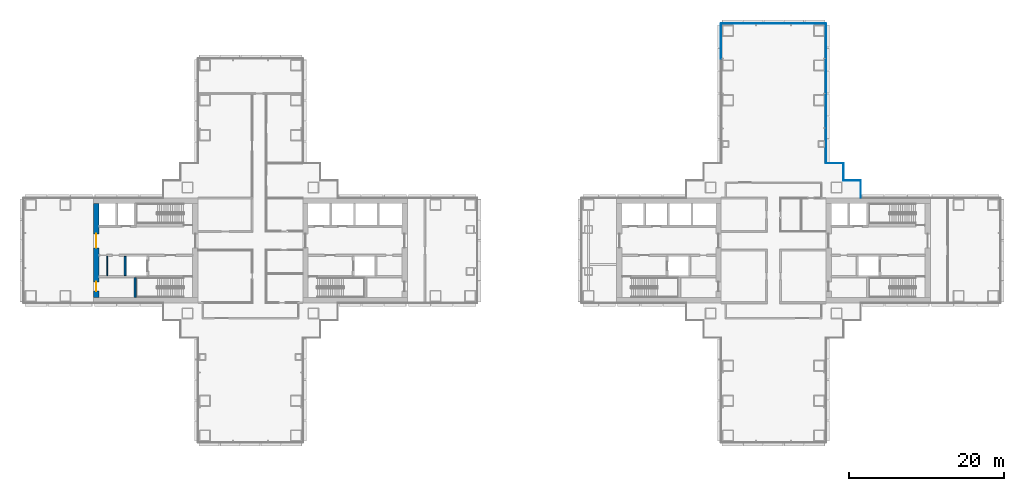
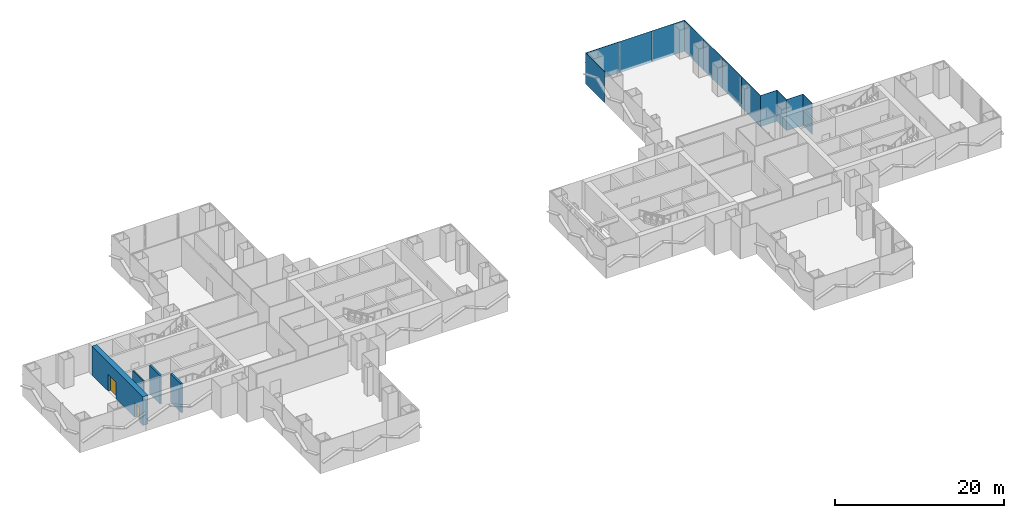
# One storey, part 13 of 22: 12 plates, 4 walls, 2 doors, 2 openings, 4 elements without a shape of their own.
"""IFC4 building model written with IfcOpenShell, lengths in metres."""

from ifc_helpers import new_model, si_unit, direction, frame, frame_2d, origin, origin_2d, place, context, subcontext, project, spatial, rectangle, extrude, material, layer, layer_set, type_object, element, fill, aggregate, save


model = new_model("IFC4")

# Units and contexts
model_context = context("Model", 3, precision=1e-05, world=origin(), true_north=direction((0.0, 1.0)))
body_context = subcontext(model_context, "Body", "Model", "MODEL_VIEW")
ifc_project = project(units=[si_unit("LENGTHUNIT", "METRE"), si_unit("AREAUNIT", "SQUARE_METRE"), si_unit("VOLUMEUNIT", "CUBIC_METRE"), si_unit("PLANEANGLEUNIT", "RADIAN"), si_unit("MASSUNIT", "GRAM", prefix="KILO")], contexts=[model_context])

# Site, building, storey
site_placement = place(None, origin())
site = spatial("IfcSite", under=ifc_project, at=site_placement, CompositionType="ELEMENT")
building_placement = place(site_placement, origin())
building = spatial("IfcBuilding", under=site, at=building_placement, Name="Shamsa Quay Exchange Towers", CompositionType="ELEMENT")
storey_placement = place(building_placement, frame((0.0, 0.0, 33.0)))
storey = spatial("IfcBuildingStorey", under=building, at=storey_placement, Name="L06", CompositionType="ELEMENT", Elevation=33.0)

# Curtain wall, plates
ifc_material_1 = material(Name="Aluminium EN AW-6063 T6, black anodised", Category="aluminium")
ifc_layer_1 = layer(ifc_material_1, 0.280029296875)
ifc_layer_set_1 = layer_set([ifc_layer_1], Name="CW-1 UNITISED VISION GLASS")
curtain_wall_type_1 = type_object("IfcCurtainWallType", Name="CW-1 UNITISED VISION GLASS", PredefinedType="NOTDEFINED", material=ifc_layer_set_1)
curtain_wall_1_placement = place(storey_placement, origin())
curtain_wall_1 = element("IfcCurtainWall", 1, at=curtain_wall_1_placement, inside=storey, type_object=curtain_wall_type_1, Name="CW1 T2-FLK-U+S L06", PredefinedType="NOTDEFINED")
ifc_material_2 = material(Name="Glass, laminated, dark tinted", Category="glass")
ifc_layer_2 = layer(ifc_material_2, 0.0400390625)
ifc_layer_set_2 = layer_set([ifc_layer_2], Name="CW-1 VISION GLASS 40")
plate_type_1 = type_object("IfcPlateType", Name="CW-1 VISION GLASS 40", PredefinedType="CURTAIN_PANEL", material=ifc_layer_set_2)
plate_1_placement = place(storey_placement, frame((40.52001953125, 13.53076171875, -0.35009765625), z_axis=(0.0, 0.0, 1.0), x_axis=(0.0, 1.0, 0.0)))
plate_1 = element("IfcPlate", 2, at=plate_1_placement, type_object=plate_type_1, Name="CW1 glass panel", PredefinedType="CURTAIN_PANEL", context=body_context, shape_type="SweptSolid", body=[
    extrude(rectangle(XDim=4.485595703125, YDim=0.0400390625, at=origin_2d()), origin(), (0.0, 0.0, 1.0), 4.5),
])
plate_2_placement = place(storey_placement, frame((40.52001953125, 18.023681640625, -0.35009765625), z_axis=(0.0, 0.0, 1.0), x_axis=(0.0, 1.0, 0.0)))
plate_2 = element("IfcPlate", 3, at=plate_2_placement, type_object=plate_type_1, Name="CW1 glass panel", PredefinedType="CURTAIN_PANEL", context=body_context, shape_type="SweptSolid", body=[
    extrude(rectangle(XDim=4.48046875, YDim=0.0400390625, at=origin_2d()), origin(), (0.0, 0.0, 1.0), 4.5),
])
plate_3_placement = place(storey_placement, frame((40.52001953125, 22.51416015625, -0.35009765625), z_axis=(0.0, 0.0, 1.0), x_axis=(0.0, 1.0, 0.0)))
plate_3 = element("IfcPlate", 4, at=plate_3_placement, type_object=plate_type_1, Name="CW1 glass panel", PredefinedType="CURTAIN_PANEL", context=body_context, shape_type="SweptSolid", body=[
    extrude(rectangle(XDim=4.48046875, YDim=0.0400390625, at=origin_2d()), origin(), (0.0, 0.0, 1.0), 4.5),
])
plate_4_placement = place(storey_placement, frame((40.52001953125, 27.00732421875, -0.35009765625), z_axis=(0.0, 0.0, 1.0), x_axis=(0.0, 1.0, 0.0)))
plate_4 = element("IfcPlate", 5, at=plate_4_placement, type_object=plate_type_1, Name="CW1 glass panel", PredefinedType="CURTAIN_PANEL", context=body_context, shape_type="SweptSolid", body=[
    extrude(rectangle(XDim=4.485595703125, YDim=0.0400390625, at=origin_2d()), origin(), (0.0, 0.0, 1.0), 4.5),
])
aggregate(curtain_wall_1, [plate_1, plate_2, plate_3, plate_4])

curtain_wall_2_placement = place(storey_placement, origin())
curtain_wall_2 = element("IfcCurtainWall", 6, at=curtain_wall_2_placement, inside=storey, type_object=curtain_wall_type_1, Name="CW1 T2-END-U+ L06", PredefinedType="NOTDEFINED")
plate_5_placement = place(storey_placement, frame((38.25244140625, 29.27001953125, -0.35009765625), z_axis=(0.0, 0.0, 1.0), x_axis=(-1.0, 0.0, 0.0)))
plate_5 = element("IfcPlate", 7, at=plate_5_placement, type_object=plate_type_1, Name="CW1 glass panel", PredefinedType="CURTAIN_PANEL", context=body_context, shape_type="SweptSolid", body=[
    extrude(rectangle(XDim=4.4951171875, YDim=0.0400390625, at=origin_2d()), origin(), (0.0, 0.0, 1.0), 4.5),
])
plate_6_placement = place(storey_placement, frame((33.75, 29.27001953125, -0.35009765625), z_axis=(0.0, 0.0, 1.0), x_axis=(-1.0, 0.0, 0.0)))
plate_6 = element("IfcPlate", 8, at=plate_6_placement, type_object=plate_type_1, Name="CW1 glass panel", PredefinedType="CURTAIN_PANEL", context=body_context, shape_type="SweptSolid", body=[
    extrude(rectangle(XDim=4.489990234375, YDim=0.0400390625, at=origin_2d()), origin(), (0.0, 0.0, 1.0), 4.5),
])
plate_7_placement = place(storey_placement, frame((29.24755859375, 29.27001953125, -0.35009765625), z_axis=(0.0, 0.0, 1.0), x_axis=(-1.0, 0.0, 0.0)))
plate_7 = element("IfcPlate", 9, at=plate_7_placement, type_object=plate_type_1, Name="CW1 glass panel", PredefinedType="CURTAIN_PANEL", context=body_context, shape_type="SweptSolid", body=[
    extrude(rectangle(XDim=4.4951171875, YDim=0.0400390625, at=origin_2d()), origin(), (0.0, 0.0, 1.0), 4.5),
])
aggregate(curtain_wall_2, [plate_5, plate_6, plate_7])

# Curtain wall, plate
curtain_wall_3_placement = place(storey_placement, origin())
curtain_wall_3 = element("IfcCurtainWall", 10, at=curtain_wall_3_placement, inside=storey, type_object=curtain_wall_type_1, Name="CW1 T2-FLK-U+N L06", PredefinedType="NOTDEFINED")
plate_8_placement = place(storey_placement, frame((26.97998046875, 27.00244140625, -0.35009765625), z_axis=(0.0, 0.0, 1.0), x_axis=(0.0, -1.0, 0.0)))
plate_8 = element("IfcPlate", 11, at=plate_8_placement, type_object=plate_type_1, Name="CW1 glass panel", PredefinedType="CURTAIN_PANEL", context=body_context, shape_type="SweptSolid", body=[
    extrude(rectangle(XDim=4.4951171875, YDim=0.0400390625, at=origin_2d()), origin(), (0.0, 0.0, 1.0), 4.5),
])
aggregate(curtain_wall_3, [plate_8])

# Curtain wall, plates
ifc_layer_3 = layer(ifc_material_1, 0.256103515625)
ifc_layer_set_3 = layer_set([ifc_layer_3], Name="CW-4 POCKET SERRATED GLAZING")
curtain_wall_type_2 = type_object("IfcCurtainWallType", Name="CW-4 POCKET SERRATED GLAZING", PredefinedType="NOTDEFINED", material=ifc_layer_set_3)
curtain_wall_4_placement = place(storey_placement, origin())
curtain_wall_4 = element("IfcCurtainWall", 12, at=curtain_wall_4_placement, inside=storey, type_object=curtain_wall_type_2, Name="CW4 PKES L06", PredefinedType="NOTDEFINED")
ifc_layer_4 = layer(ifc_material_2, 0.035888671875)
ifc_layer_set_4 = layer_set([ifc_layer_4], Name="CW-4 POCKET GLASS 36")
plate_type_2 = type_object("IfcPlateType", Name="CW-4 POCKET GLASS 36", PredefinedType="CURTAIN_PANEL", material=ifc_layer_set_4)
plate_9_placement = place(storey_placement, frame((45.01806640625, 7.89794921875, -0.35009765625), z_axis=(0.0, 0.0, 1.0), x_axis=(0.0, 1.0, 0.0)))
plate_9 = element("IfcPlate", 13, at=plate_9_placement, type_object=plate_type_2, Name="CW4 glass panel", PredefinedType="CURTAIN_PANEL", context=body_context, shape_type="SweptSolid", body=[
    extrude(rectangle(XDim=2.2041015625, YDim=0.035888671875, at=origin_2d()), origin(), (0.0, 0.0, 1.0), 4.5),
])
plate_10_placement = place(storey_placement, frame((43.875, 9.01806640625, -0.35009765625), z_axis=(0.0, 0.0, 1.0), x_axis=(-1.0, 0.0, 0.0)))
plate_10 = element("IfcPlate", 14, at=plate_10_placement, type_object=plate_type_2, Name="CW4 glass panel", PredefinedType="CURTAIN_PANEL", context=body_context, shape_type="SweptSolid", body=[
    extrude(rectangle(XDim=2.25, YDim=0.035888671875, at=origin_2d()), origin(), (0.0, 0.0, 1.0), 4.5),
])
plate_11_placement = place(storey_placement, frame((42.76806640625, 10.14404296875, -0.35009765625), z_axis=(0.0, 0.0, 1.0), x_axis=(0.0, 1.0, 0.0)))
plate_11 = element("IfcPlate", 15, at=plate_11_placement, type_object=plate_type_2, Name="CW4 glass panel", PredefinedType="CURTAIN_PANEL", context=body_context, shape_type="SweptSolid", body=[
    extrude(rectangle(XDim=2.2119140625, YDim=0.035888671875, at=origin_2d()), origin(), (0.0, 0.0, 1.0), 4.5),
])
plate_12_placement = place(storey_placement, frame((41.625, 11.26806640625, -0.35009765625), z_axis=(0.0, 0.0, 1.0), x_axis=(-1.0, 0.0, 0.0)))
plate_12 = element("IfcPlate", 16, at=plate_12_placement, type_object=plate_type_2, Name="CW4 glass panel", PredefinedType="CURTAIN_PANEL", context=body_context, shape_type="SweptSolid", body=[
    extrude(rectangle(XDim=2.25, YDim=0.035888671875, at=origin_2d()), origin(), (0.0, 0.0, 1.0), 4.5),
])
aggregate(curtain_wall_4, [plate_9, plate_10, plate_11, plate_12])

# Wall, openings, doors
ifc_material_3 = material(Name="Concrete C80/95", Category="concrete")
ifc_layer_5 = layer(ifc_material_3, 0.699951171875)
ifc_layer_set_5 = layer_set([ifc_layer_5], Name="CORE WALL 700 C80/95")
wall_type_1 = type_object("IfcWallType", Name="CORE WALL 700 C80/95", PredefinedType="SHEAR", material=ifc_layer_set_5)
wall_1_placement = place(storey_placement, frame((-53.64990234375, -6.050048828125, 0.0), z_axis=(0.0, 0.0, 1.0), x_axis=(0.0, 1.0, 0.0)))
wall_1 = element("IfcWall", 17, at=wall_1_placement, inside=storey, type_object=wall_type_1, Name="Core wall T1B-R02-PB", PredefinedType="SHEAR", context=body_context, shape_type="SweptSolid", body=[
    extrude(rectangle(XDim=12.10009765625, YDim=0.699951171875, at=frame_2d((6.050048828125, 0.0))), origin(), (0.0, 0.0, 1.0), 4.14990234375),
])
opening_1_placement = place(wall_1_placement, frame((0.800048828125, 0.0, 0.0)))
opening_1 = element("IfcOpeningElement", 18, at=opening_1_placement, cuts=wall_1, Name="Opening T1B-R02-RD02", PredefinedType="OPENING", context=body_context, shape_type="SweptSolid", body=[
    extrude(rectangle(XDim=1.199951171875, YDim=2.10009765625, at=frame_2d((0.60009765625, 1.050048828125))), frame((0.0, 0.35986328125, 0.0), z_axis=(0.0, -1.0, 0.0), x_axis=(1.0, 0.0, 0.0)), (0.0, 0.0, 1.0), 0.719970703125),
])
opening_2_placement = place(wall_1_placement, frame((6.39990234375, 0.0, 0.0)))
opening_2 = element("IfcOpeningElement", 19, at=opening_2_placement, cuts=wall_1, Name="Opening T1B-R02-LBD03", PredefinedType="OPENING", context=body_context, shape_type="SweptSolid", body=[
    extrude(rectangle(XDim=1.800048828125, YDim=2.39990234375, at=frame_2d((0.89990234375, 1.199951171875))), frame((0.0, 0.35986328125, 0.0), z_axis=(0.0, -1.0, 0.0), x_axis=(1.0, 0.0, 0.0)), (0.0, 0.0, 1.0), 0.719970703125),
])
ifc_material_4 = material(Name="Steel, fire rated", Category="steel")
door_type_1 = type_object("IfcDoorType", Name="LIFT LOBBY DOOR PAIR 1800", OperationType="DOUBLE_DOOR_SINGLE_SWING", PredefinedType="DOOR", material=ifc_material_4)
door_1_placement = place(opening_2_placement, origin())
door_1 = element("IfcDoor", 20, at=door_1_placement, inside=storey, type_object=door_type_1, Name="T1B-R02-LBD03", OperationType="DOUBLE_DOOR_SINGLE_SWING", OverallHeight=2.39990234375, OverallWidth=1.800048828125, PredefinedType="DOOR", context=body_context, shape_type="SweptSolid", body=[
    extrude(rectangle(XDim=1.800048828125, YDim=2.39990234375, at=frame_2d((0.89990234375, 1.199951171875))), frame((0.0, 0.02490234375, 0.0), z_axis=(0.0, -1.0, 0.0), x_axis=(1.0, 0.0, 0.0)), (0.0, 0.0, 1.0), 0.050048828125),
])
fill(opening_2, door_1)
door_type_2 = type_object("IfcDoorType", Name="RISER ACCESS DOOR 1200", OperationType="SINGLE_SWING_LEFT", PredefinedType="DOOR", material=ifc_material_4)
door_2_placement = place(opening_1_placement, origin())
door_2 = element("IfcDoor", 21, at=door_2_placement, inside=storey, type_object=door_type_2, Name="T1B-R02-RD02", OperationType="SINGLE_SWING_LEFT", OverallHeight=2.10009765625, OverallWidth=1.199951171875, PredefinedType="DOOR", context=body_context, shape_type="SweptSolid", body=[
    extrude(rectangle(XDim=1.199951171875, YDim=2.10009765625, at=frame_2d((0.60009765625, 1.050048828125))), frame((0.0, 0.02490234375, 0.0), z_axis=(0.0, -1.0, 0.0), x_axis=(1.0, 0.0, 0.0)), (0.0, 0.0, 1.0), 0.050048828125),
])
fill(opening_1, door_2)

# Walls
ifc_material_5 = material(Name="Gypsum board on steel studs, EI 60", Category="steel")
ifc_layer_6 = layer(ifc_material_5, 0.14990234375)
ifc_layer_set_6 = layer_set([ifc_layer_6], Name="FIRE PARTITION 150")
wall_type_2 = type_object("IfcWallType", Name="FIRE PARTITION 150", PredefinedType="PARTITIONING", material=ifc_layer_set_6)
wall_2_placement = place(storey_placement, frame((-52.25, -3.25, 0.0), z_axis=(0.0, 0.0, 1.0), x_axis=(0.0, 1.0, 0.0)))
element("IfcWall", 22, at=wall_2_placement, inside=storey, type_object=wall_type_2, Name="Partition T1B-R02-EC0", PredefinedType="PARTITIONING", context=body_context, shape_type="SweptSolid", body=[
    extrude(rectangle(XDim=2.5, YDim=0.14990234375, at=frame_2d((1.25, 0.0))), origin(), (0.0, 0.0, 1.0), 4.14990234375),
])
ifc_material_6 = material(Name="Concrete C50/60", Category="concrete")
ifc_layer_7 = layer(ifc_material_6, 0.25)
ifc_layer_set_7 = layer_set([ifc_layer_7], Name="SHAFT WALL 250 C50/60")
wall_type_3 = type_object("IfcWallType", Name="SHAFT WALL 250 C50/60", PredefinedType="SHEAR", material=ifc_layer_set_7)
wall_3_placement = place(storey_placement, frame((-48.625, -6.050048828125, 0.0), z_axis=(0.0, 0.0, 1.0), x_axis=(0.0, 1.0, 0.0)))
element("IfcWall", 23, at=wall_3_placement, inside=storey, type_object=wall_type_3, Name="Shaft wall T1B-R02-STF", PredefinedType="SHEAR", context=body_context, shape_type="SweptSolid", body=[
    extrude(rectangle(XDim=2.550048828125, YDim=0.25, at=frame_2d((1.27490234375, 0.0))), origin(), (0.0, 0.0, 1.0), 4.14990234375),
])
wall_4_placement = place(storey_placement, frame((-49.925048828125, -3.25, 0.0), z_axis=(0.0, 0.0, 1.0), x_axis=(0.0, 1.0, 0.0)))
element("IfcWall", 24, at=wall_4_placement, inside=storey, type_object=wall_type_3, Name="Shaft wall T1B-R02-FFB", PredefinedType="SHEAR", context=body_context, shape_type="SweptSolid", body=[
    extrude(rectangle(XDim=2.5, YDim=0.25, at=frame_2d((1.25, 0.0))), origin(), (0.0, 0.0, 1.0), 4.14990234375),
])

save(model, "model.ifc")
